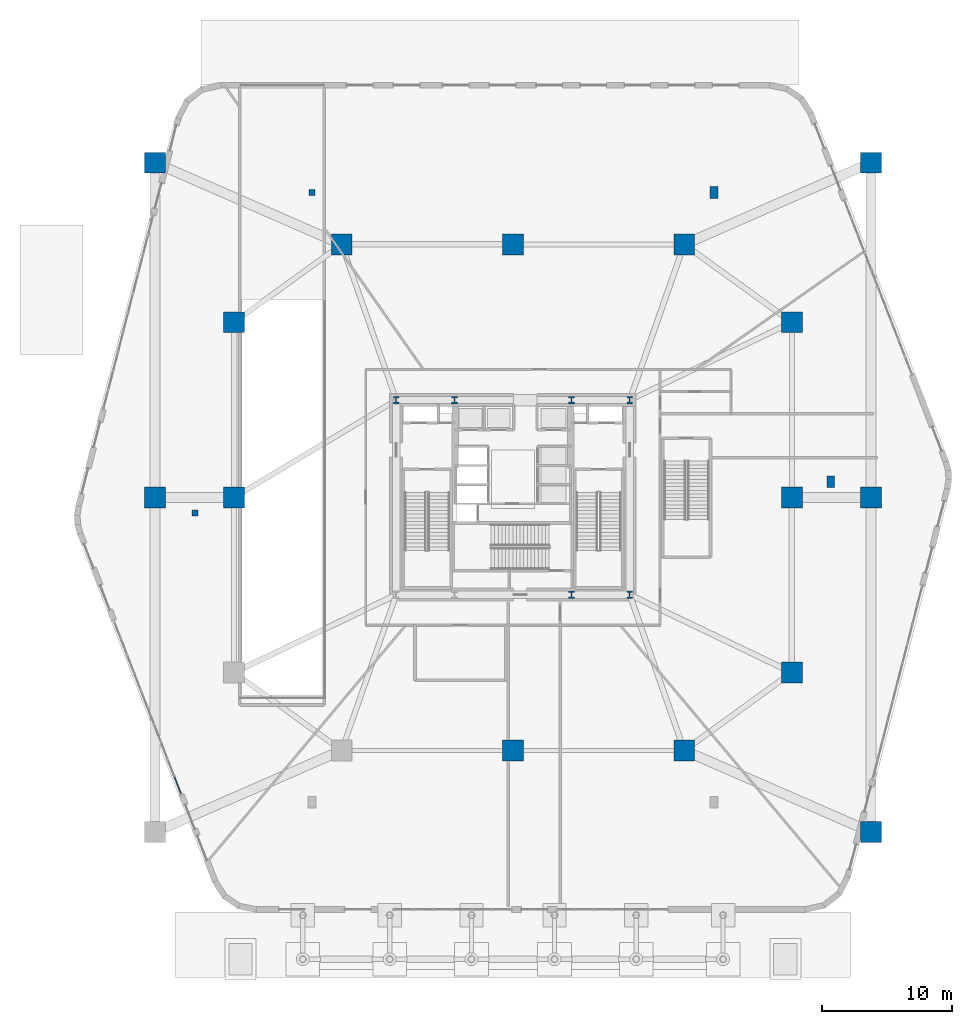
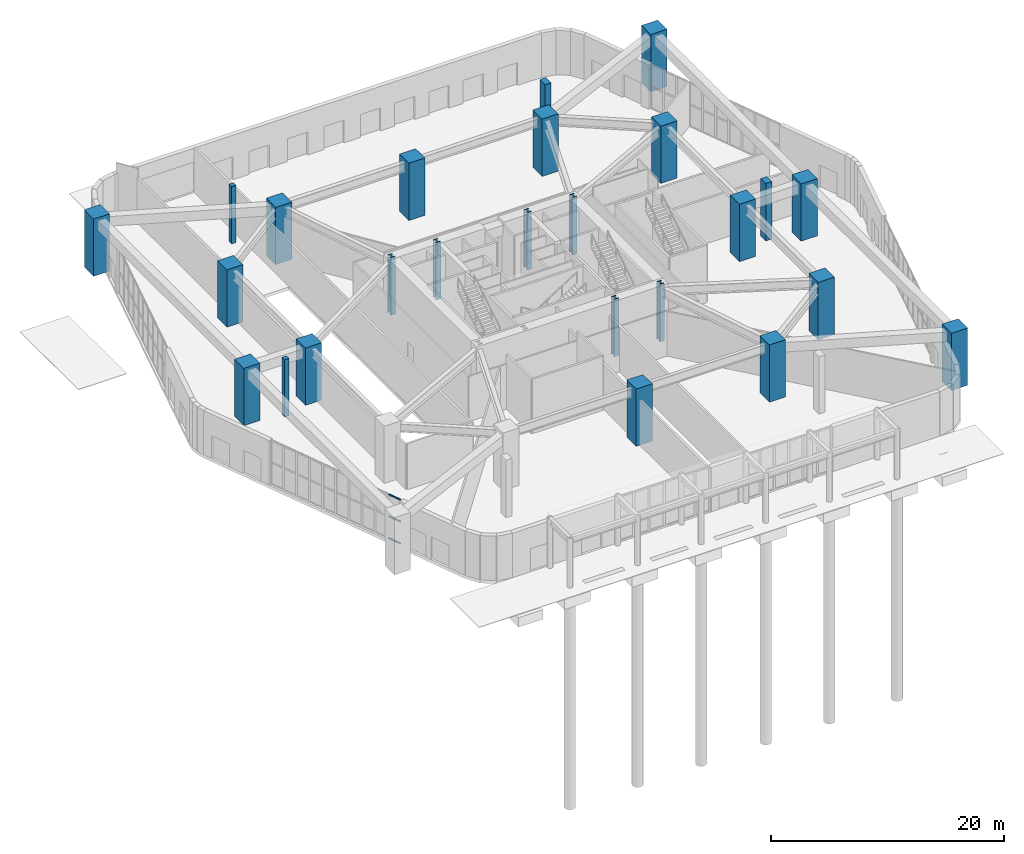
# One storey, part 2 of 35: 25 columns, 3 members, 1 element without a shape of its own.
"""IFC4 building model written with IfcOpenShell, lengths in metres."""

from ifc_helpers import new_model, si_unit, direction, frame, origin, origin_2d, place, context, subcontext, project, spatial, rectangle, hollow_rectangle, i_section, extrude, material, layer, layer_set, material_profile, profile_set, type_object, element, aggregate, save


model = new_model("IFC4")

# Units and contexts
model_context = context("Model", 3, precision=1e-05, world=origin(), true_north=direction((0.0, 1.0)))
body_context = subcontext(model_context, "Body", "Model", "MODEL_VIEW")
ifc_project = project(units=[si_unit("LENGTHUNIT", "METRE"), si_unit("AREAUNIT", "SQUARE_METRE"), si_unit("VOLUMEUNIT", "CUBIC_METRE"), si_unit("PLANEANGLEUNIT", "RADIAN"), si_unit("MASSUNIT", "GRAM", prefix="KILO")], contexts=[model_context])

# Site, building, storey
site_placement = place(None, origin())
site = spatial("IfcSite", under=ifc_project, at=site_placement, CompositionType="ELEMENT")
building_placement = place(site_placement, origin())
building = spatial("IfcBuilding", under=site, at=building_placement, Name="Kilnhurst Terrace Hotel", CompositionType="ELEMENT")
storey_placement = place(building_placement, origin())
storey = spatial("IfcBuildingStorey", under=building, at=storey_placement, Name="L00", CompositionType="ELEMENT", Elevation=0.0)

# Columns
ifc_material_1 = material(Name="Concrete C80/95", Category="concrete")
ifc_material_profile_1 = material_profile(ifc_material_1, rectangle(XDim=1.60009765625, YDim=1.60009765625, at=origin_2d()), Name="RC1600X1600")
ifc_profile_set_1 = profile_set([ifc_material_profile_1], Name="Concrete C80/95")
column_type_1 = type_object("IfcColumnType", Name="COL-RC-1600", PredefinedType="COLUMN", material=ifc_profile_set_1)
for number, where, z_axis, x_axis, name in (
    (1, (-21.5, 0.0, 0.0), (0.0, 0.0, 1.0), (1.0, 0.0, 0.0), "L00 Structural Column MC-W2"),
    (2, (-21.5, 13.5, 0.0), (0.0, 0.0, 1.0), (1.0, 0.0, 0.0), "L00 Structural Column MC-W3"),
    (3, (21.5, -13.5, 0.0), (0.0, 0.0, 1.0), (1.0, 0.0, 0.0), "L00 Structural Column MC-E1"),
    (4, (21.5, 0.0, 0.0), (0.0, 0.0, 1.0), (1.0, 0.0, 0.0), "L00 Structural Column MC-E2"),
    (5, (21.5, 13.5, 0.0), (0.0, 0.0, 1.0), (1.0, 0.0, 0.0), "L00 Structural Column MC-E3"),
    (6, (13.199951171875, -19.5, 0.0), (0.0, 0.0, 1.0), (1.0, 0.0, 0.0), "L00 Structural Column MC-S2"),
    (7, (-13.199951171875, 19.5, 0.0), (0.0, 0.0, 1.0), (1.0, 0.0, 0.0), "L00 Structural Column MC-N1"),
    (8, (0.0, 19.5, 0.0), (0.0, 0.0, 1.0), (1.0, 0.0, 0.0), "L00 Structural Column MC-N2"),
    (9, (13.199951171875, 19.5, 0.0), (0.0, 0.0, 1.0), (1.0, 0.0, 0.0), "L00 Structural Column MC-N3"),
    (10, (27.60009765625, -25.800048828125, 0.0), (0.0, 0.0, 1.0), (1.0, 0.0, 0.0), "L00 Structural Column BC-SE"),
    (11, (27.60009765625, 25.800048828125, 0.0), (0.0, 0.0, 1.0), (1.0, 0.0, 0.0), "L00 Structural Column BC-NE"),
    (12, (-27.60009765625, 25.800048828125, 0.0), (0.0, 0.0, 1.0), (1.0, 0.0, 0.0), "L00 Structural Column BC-NW"),
    (13, (-27.60009765625, 0.0, 0.0), (0.0, 0.0, 1.0), (1.0, 0.0, 0.0), "L00 Structural Column BC-W"),
    (14, (27.60009765625, 0.0, 0.0), (0.0, 0.0, 1.0), (1.0, 0.0, 0.0), "L00 Structural Column BC-E"),
    (15, (0.0, -19.5, 0.0), (0.0, 0.0, 1.0), (1.0, 0.0, 0.0), "L00 Structural Column MC-SB0"),
):
    element("IfcColumn", number, at=place(storey_placement, frame(where, z_axis=z_axis, x_axis=x_axis)), inside=storey, type_object=column_type_1, Name=name, PredefinedType="COLUMN", context=body_context, shape_type="SweptSolid", body=[
        extrude(rectangle(XDim=1.60009765625, YDim=1.60009765625, at=origin_2d()), origin(), (0.0, 0.0, 1.0), 6.0),
    ])
ifc_material_2 = material(Name="Steel ASTM A992 Grade 50", Category="steel")
ifc_material_profile_2 = material_profile(ifc_material_2, i_section(OverallWidth=0.454345703125, OverallDepth=0.569091796875, WebThickness=0.077880859375, FlangeThickness=0.124755859375, at=origin_2d()), Name="W14X730")
ifc_profile_set_2 = profile_set([ifc_material_profile_2], Name="Steel ASTM A992 Grade 50")
column_type_2 = type_object("IfcColumnType", Name="COL-STL-W14X730", PredefinedType="COLUMN", material=ifc_profile_set_2)
for number, where, z_axis, x_axis, name in (
    (16, (4.5, -7.5, 0.0), (0.0, 0.0, 1.0), (1.0, 0.0, 0.0), "L00 Structural Column CC-SC2"),
    (17, (9.0, -7.5, 0.0), (0.0, 0.0, 1.0), (1.0, 0.0, 0.0), "L00 Structural Column CC-SE"),
    (18, (9.0, 7.5, 0.0), (0.0, 0.0, 1.0), (1.0, 0.0, 0.0), "L00 Structural Column CC-NE"),
    (19, (4.5, 7.5, 0.0), (0.0, 0.0, 1.0), (1.0, 0.0, 0.0), "L00 Structural Column CC-NC2"),
    (20, (-4.5, 7.5, 0.0), (0.0, 0.0, 1.0), (1.0, 0.0, 0.0), "L00 Structural Column CC-NC1"),
    (21, (-9.0, 7.5, 0.0), (0.0, 0.0, 1.0), (1.0, 0.0, 0.0), "L00 Structural Column CC-NW"),
):
    element("IfcColumn", number, at=place(storey_placement, frame(where, z_axis=z_axis, x_axis=x_axis)), inside=storey, type_object=column_type_2, Name=name, PredefinedType="COLUMN", context=body_context, shape_type="SweptSolid", body=[
        extrude(i_section(OverallWidth=0.454345703125, OverallDepth=0.569091796875, WebThickness=0.077880859375, FlangeThickness=0.124755859375, at=origin_2d()), origin(), (0.0, 0.0, 1.0), 6.0),
    ])
ifc_material_3 = material(Name="Concrete C50/60", Category="concrete")
ifc_material_profile_3 = material_profile(ifc_material_3, rectangle(XDim=0.449951171875, YDim=0.449951171875, at=origin_2d()), Name="RC450X450")
ifc_profile_set_3 = profile_set([ifc_material_profile_3], Name="Concrete C50/60")
column_type_3 = type_object("IfcColumnType", Name="PIL-RC-450X450", PredefinedType="PILASTER", material=ifc_profile_set_3)
for number, where, z_axis, x_axis, name in (
    (22, (-15.5, 23.5, 0.0), (0.0, 0.0, 1.0), (1.0, 0.0, 0.0), "L00 Continuous Structural Pilaster PIL5"),
    (23, (-24.5, -1.199951171875, 0.0), (0.0, 0.0, 1.0), (1.0, 0.0, 0.0), "L00 Continuous Structural Pilaster PIL6"),
):
    element("IfcColumn", number, at=place(storey_placement, frame(where, z_axis=z_axis, x_axis=x_axis)), inside=storey, type_object=column_type_3, Name=name, PredefinedType="PILASTER", context=body_context, shape_type="SweptSolid", body=[
        extrude(rectangle(XDim=0.449951171875, YDim=0.449951171875, at=origin_2d()), origin(), (0.0, 0.0, 1.0), 6.0),
    ])
ifc_material_4 = material(Name="Concrete C60/75", Category="concrete")
ifc_material_profile_4 = material_profile(ifc_material_4, rectangle(XDim=0.60009765625, YDim=0.89990234375, at=origin_2d()), Name="RC600X900")
ifc_profile_set_4 = profile_set([ifc_material_profile_4], Name="Concrete C60/75")
column_type_4 = type_object("IfcColumnType", Name="PIL-RC-600X900", PredefinedType="PILASTER", material=ifc_profile_set_4)
for number, where, z_axis, x_axis, name in (
    (24, (24.5, 1.199951171875, 0.0), (0.0, 0.0, 1.0), (1.0, 0.0, 0.0), "L00 Continuous Structural Pilaster PIL3"),
    (25, (15.5, 23.5, 0.0), (0.0, 0.0, 1.0), (1.0, 0.0, 0.0), "L00 Continuous Structural Pilaster PIL4"),
):
    element("IfcColumn", number, at=place(storey_placement, frame(where, z_axis=z_axis, x_axis=x_axis)), inside=storey, type_object=column_type_4, Name=name, PredefinedType="PILASTER", context=body_context, shape_type="SweptSolid", body=[
        extrude(rectangle(XDim=0.60009765625, YDim=0.89990234375, at=origin_2d()), origin(), (0.0, 0.0, 1.0), 6.0),
    ])

# Curtain wall, members
ifc_material_5 = material(Name="Anodized Aluminium Alloy 6063-T6 and Low-E Glass", Category="aluminium")
ifc_layer = layer(ifc_material_5, 0.219970703125, Name="Anodized Aluminium Alloy 6063-T6 and Low-E Glass")
ifc_layer_set = layer_set([ifc_layer], Name="Anodized Aluminium Alloy 6063-T6 and Low-E Glass")
curtain_wall_type = type_object("IfcCurtainWallType", Name="CW-POD-LOBBY", PredefinedType="NOTDEFINED", material=ifc_layer_set)
curtain_wall_placement = place(storey_placement, origin())
curtain_wall = element("IfcCurtainWall", 26, at=curtain_wall_placement, inside=storey, type_object=curtain_wall_type, Name="L00 Curtain Wall CW-L00-F6-1", PredefinedType="NOTDEFINED")
ifc_material_6 = material(Name="Extruded Aluminium Alloy 6063-T6", Category="aluminium")
ifc_material_profile_5 = material_profile(ifc_material_6, hollow_rectangle(XDim=0.074951171875, YDim=0.14990234375, WallThickness=0.00390625, at=origin_2d()), Name="CWT75X150")
ifc_profile_set_5 = profile_set([ifc_material_profile_5], Name="Extruded Aluminium Alloy 6063-T6")
member_type = type_object("IfcMemberType", Name="MEM-CWT75X150", PredefinedType="USERDEFINED", material=ifc_profile_set_5)
member_1_placement = place(storey_placement, frame((-26.06884765625, -21.584716796875, 0.03759765625), z_axis=(0.3616911232, -0.932297984229, 0.0), x_axis=(0.932297984229, 0.3616911232, 0.0)))
member_1 = element("IfcMember", 27, at=member_1_placement, type_object=member_type, Name="CWL-1 transom 10.1", ObjectType="TRANSOM", PredefinedType="USERDEFINED", context=body_context, shape_type="SweptSolid", body=[
    extrude(hollow_rectangle(XDim=0.074951171875, YDim=0.14990234375, WallThickness=0.00390625, at=origin_2d()), origin(), (0.0, 0.0, 1.0), 1.326416015625),
])
member_2_placement = place(storey_placement, frame((-26.06884765625, -21.584716796875, 2.324951171875), z_axis=(0.3616911232, -0.932297984229, 0.0), x_axis=(0.932297984229, 0.3616911232, 0.0)))
member_2 = element("IfcMember", 28, at=member_2_placement, type_object=member_type, Name="CWL-1 transom 10.2", ObjectType="TRANSOM", PredefinedType="USERDEFINED", context=body_context, shape_type="SweptSolid", body=[
    extrude(hollow_rectangle(XDim=0.074951171875, YDim=0.14990234375, WallThickness=0.00390625, at=origin_2d()), origin(), (0.0, 0.0, 1.0), 1.326416015625),
])
member_3_placement = place(storey_placement, frame((-26.06884765625, -21.584716796875, 4.612548828125), z_axis=(0.3616911232, -0.932297984229, 0.0), x_axis=(0.932297984229, 0.3616911232, 0.0)))
member_3 = element("IfcMember", 29, at=member_3_placement, type_object=member_type, Name="CWL-1 transom 10.3", ObjectType="TRANSOM", PredefinedType="USERDEFINED", context=body_context, shape_type="SweptSolid", body=[
    extrude(hollow_rectangle(XDim=0.074951171875, YDim=0.14990234375, WallThickness=0.00390625, at=origin_2d()), origin(), (0.0, 0.0, 1.0), 1.326416015625),
])
aggregate(curtain_wall, [member_1, member_2, member_3])

save(model, "model.ifc")
